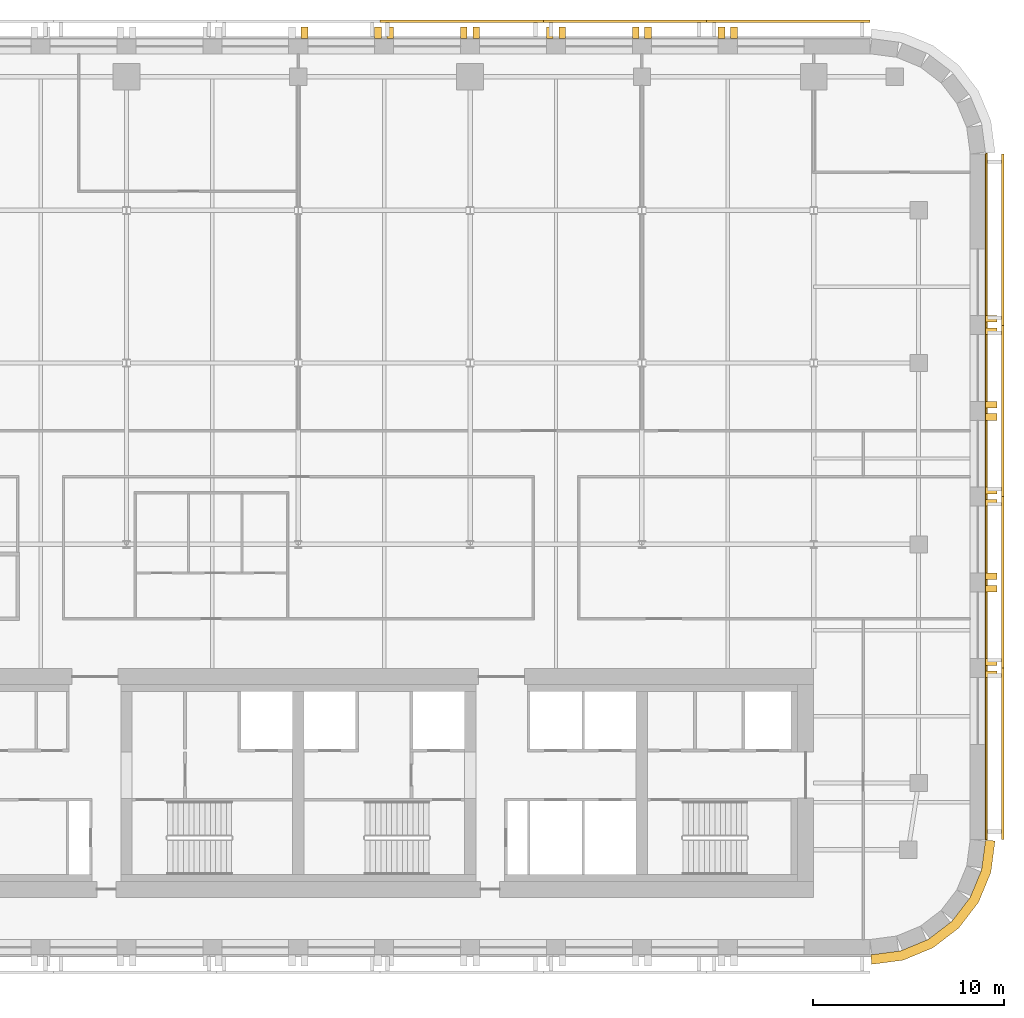
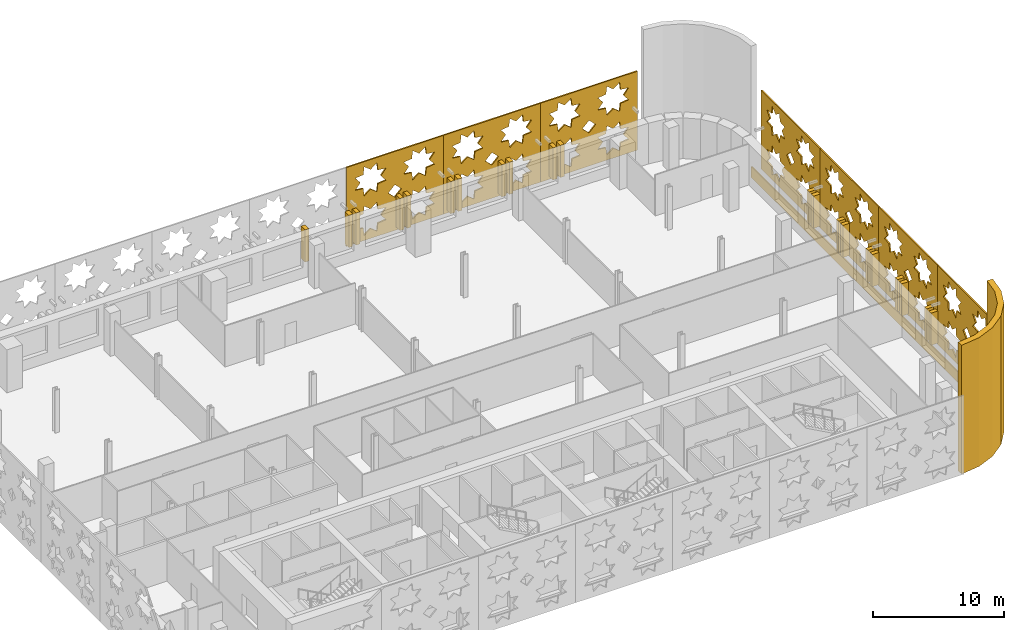
# One storey, part 13 of 14: 30 coverings.
"""IFC4 building model written with IfcOpenShell, lengths in metres."""

from ifc_helpers import new_model, si_unit, direction, frame, origin, place, context, subcontext, project, spatial, polyline, outline, extrude, material, layer, layer_set, type_object, element, save


model = new_model("IFC4")

# Units and contexts
model_context = context("Model", 3, precision=1e-05, world=origin(), true_north=direction((0.0, 1.0)))
body_context = subcontext(model_context, "Body", "Model", "MODEL_VIEW")
ifc_project = project(units=[si_unit("LENGTHUNIT", "METRE"), si_unit("AREAUNIT", "SQUARE_METRE"), si_unit("VOLUMEUNIT", "CUBIC_METRE"), si_unit("PLANEANGLEUNIT", "RADIAN"), si_unit("MASSUNIT", "GRAM", prefix="KILO")], contexts=[model_context])

# Site, building, storey
site_placement = place(None, origin())
site = spatial("IfcSite", under=ifc_project, at=site_placement, CompositionType="ELEMENT")
building_placement = place(site_placement, origin())
building = spatial("IfcBuilding", under=site, at=building_placement, Name="Zellij Exchange Tower", CompositionType="ELEMENT")
storey_placement = place(building_placement, frame((0.0, 0.0, 188.5)))
storey = spatial("IfcBuildingStorey", under=building, at=storey_placement, Name="L43", CompositionType="ELEMENT", Elevation=188.5)

# Coverings
ifc_material_1 = material(Name="Limestone cladding", Category="masonry")
ifc_layer_1 = layer(ifc_material_1, 0.5)
ifc_layer_set_1 = layer_set([ifc_layer_1], Name="Limestone cladding")
covering_type_1 = type_object("IfcCoveringType", Name="ENV-CV12 Stone corner pier 500", PredefinedType="CLADDING", material=ifc_layer_set_1)
covering_1_placement = place(storey_placement, origin())
element("IfcCovering", 1, at=covering_1_placement, inside=storey, type_object=covering_type_1, Name="Stone corner pier", PredefinedType="CLADDING", context=body_context, shape_type="SweptSolid", body=[
    extrude(outline(polyline([(30.0, -17.0), (31.552978515625, -16.795654296875), (33.0, -16.1962890625), (34.24267578125, -15.24267578125), (35.1962890625, -14.0), (35.795654296875, -12.552978515625), (36.0, -11.0), (36.5, -11.03271484375), (36.28271484375, -12.683349609375), (35.6328125, -14.252197265625), (34.59912109375, -15.59912109375), (33.252197265625, -16.6328125), (31.683349609375, -17.28271484375), (30.03271484375, -17.5), (30.0, -17.0)])), origin(), (0.0, 0.0, 1.0), 12.0),
])
covering_type_2 = type_object("IfcCoveringType", Name="ENV-CV3 Stone pier 350x600", PredefinedType="CLADDING", material=ifc_material_1)
covering_2_placement = place(storey_placement, frame((0.0, 0.0, 0.800048828125)))
element("IfcCovering", 2, at=covering_2_placement, inside=storey, type_object=covering_type_2, Name="Stone pier", PredefinedType="CLADDING", context=body_context, shape_type="SweptSolid", body=[
    extrude(outline(polyline([(36.0, -2.48681640625), (36.0, -2.136962890625), (36.60009765625, -2.136962890625), (36.60009765625, -2.48681640625), (36.0, -2.48681640625)])), origin(), (0.0, 0.0, 1.0), 3.0),
])
covering_3_placement = place(storey_placement, frame((0.0, 0.0, 0.800048828125)))
element("IfcCovering", 3, at=covering_3_placement, inside=storey, type_object=covering_type_2, Name="Stone pier", PredefinedType="CLADDING", context=body_context, shape_type="SweptSolid", body=[
    extrude(outline(polyline([(36.0, -1.8369140625), (36.0, -1.48681640625), (36.60009765625, -1.48681640625), (36.60009765625, -1.8369140625), (36.0, -1.8369140625)])), origin(), (0.0, 0.0, 1.0), 3.0),
])
covering_4_placement = place(storey_placement, frame((0.0, 0.0, 0.800048828125)))
element("IfcCovering", 4, at=covering_4_placement, inside=storey, type_object=covering_type_2, Name="Stone pier", PredefinedType="CLADDING", context=body_context, shape_type="SweptSolid", body=[
    extrude(outline(polyline([(36.0, 2.006591796875), (36.0, 2.3564453125), (36.60009765625, 2.3564453125), (36.60009765625, 2.006591796875), (36.0, 2.006591796875)])), origin(), (0.0, 0.0, 1.0), 3.0),
])
covering_5_placement = place(storey_placement, frame((0.0, 0.0, 0.800048828125)))
element("IfcCovering", 5, at=covering_5_placement, inside=storey, type_object=covering_type_2, Name="Stone pier", PredefinedType="CLADDING", context=body_context, shape_type="SweptSolid", body=[
    extrude(outline(polyline([(36.0, 2.656494140625), (36.0, 3.006591796875), (36.60009765625, 3.006591796875), (36.60009765625, 2.656494140625), (36.0, 2.656494140625)])), origin(), (0.0, 0.0, 1.0), 3.0),
])
covering_6_placement = place(storey_placement, frame((0.0, 0.0, 0.800048828125)))
element("IfcCovering", 6, at=covering_6_placement, inside=storey, type_object=covering_type_2, Name="Stone pier", PredefinedType="CLADDING", context=body_context, shape_type="SweptSolid", body=[
    extrude(outline(polyline([(36.0, 6.5), (36.0, 6.85009765625), (36.60009765625, 6.85009765625), (36.60009765625, 6.5), (36.0, 6.5)])), origin(), (0.0, 0.0, 1.0), 3.0),
])
covering_7_placement = place(storey_placement, frame((0.0, 0.0, 0.800048828125)))
element("IfcCovering", 7, at=covering_7_placement, inside=storey, type_object=covering_type_2, Name="Stone pier", PredefinedType="CLADDING", context=body_context, shape_type="SweptSolid", body=[
    extrude(outline(polyline([(36.0, 7.14990234375), (36.0, 7.5), (36.60009765625, 7.5), (36.60009765625, 7.14990234375), (36.0, 7.14990234375)])), origin(), (0.0, 0.0, 1.0), 3.0),
])
covering_8_placement = place(storey_placement, frame((0.0, 0.0, 0.800048828125)))
element("IfcCovering", 8, at=covering_8_placement, inside=storey, type_object=covering_type_2, Name="Stone pier", PredefinedType="CLADDING", context=body_context, shape_type="SweptSolid", body=[
    extrude(outline(polyline([(36.0, 10.993408203125), (36.0, 11.343505859375), (36.60009765625, 11.343505859375), (36.60009765625, 10.993408203125), (36.0, 10.993408203125)])), origin(), (0.0, 0.0, 1.0), 3.0),
])
covering_9_placement = place(storey_placement, frame((0.0, 0.0, 0.800048828125)))
element("IfcCovering", 9, at=covering_9_placement, inside=storey, type_object=covering_type_2, Name="Stone pier", PredefinedType="CLADDING", context=body_context, shape_type="SweptSolid", body=[
    extrude(outline(polyline([(36.0, 11.643310546875), (36.0, 11.993408203125), (36.60009765625, 11.993408203125), (36.60009765625, 11.643310546875), (36.0, 11.643310546875)])), origin(), (0.0, 0.0, 1.0), 3.0),
])
covering_10_placement = place(storey_placement, frame((0.0, 0.0, 0.800048828125)))
element("IfcCovering", 10, at=covering_10_placement, inside=storey, type_object=covering_type_2, Name="Stone pier", PredefinedType="CLADDING", context=body_context, shape_type="SweptSolid", body=[
    extrude(outline(polyline([(36.0, 15.48681640625), (36.0, 15.8369140625), (36.60009765625, 15.8369140625), (36.60009765625, 15.48681640625), (36.0, 15.48681640625)])), origin(), (0.0, 0.0, 1.0), 3.0),
])
covering_11_placement = place(storey_placement, frame((0.0, 0.0, 0.800048828125)))
element("IfcCovering", 11, at=covering_11_placement, inside=storey, type_object=covering_type_2, Name="Stone pier", PredefinedType="CLADDING", context=body_context, shape_type="SweptSolid", body=[
    extrude(outline(polyline([(36.0, 16.136962890625), (36.0, 16.48681640625), (36.60009765625, 16.48681640625), (36.60009765625, 16.136962890625), (36.0, 16.136962890625)])), origin(), (0.0, 0.0, 1.0), 3.0),
])
covering_12_placement = place(storey_placement, frame((0.0, 0.0, 0.800048828125)))
element("IfcCovering", 12, at=covering_12_placement, inside=storey, type_object=covering_type_2, Name="Stone pier", PredefinedType="CLADDING", context=body_context, shape_type="SweptSolid", body=[
    extrude(outline(polyline([(23.0, 31.0), (22.64990234375, 31.0), (22.64990234375, 31.60009765625), (23.0, 31.60009765625), (23.0, 31.0)])), origin(), (0.0, 0.0, 1.0), 3.0),
])
covering_13_placement = place(storey_placement, frame((0.0, 0.0, 0.800048828125)))
element("IfcCovering", 13, at=covering_13_placement, inside=storey, type_object=covering_type_2, Name="Stone pier", PredefinedType="CLADDING", context=body_context, shape_type="SweptSolid", body=[
    extrude(outline(polyline([(22.35009765625, 31.0), (22.0, 31.0), (22.0, 31.60009765625), (22.35009765625, 31.60009765625), (22.35009765625, 31.0)])), origin(), (0.0, 0.0, 1.0), 3.0),
])
covering_14_placement = place(storey_placement, frame((0.0, 0.0, 0.800048828125)))
element("IfcCovering", 14, at=covering_14_placement, inside=storey, type_object=covering_type_2, Name="Stone pier", PredefinedType="CLADDING", context=body_context, shape_type="SweptSolid", body=[
    extrude(outline(polyline([(18.5, 31.0), (18.14990234375, 31.0), (18.14990234375, 31.60009765625), (18.5, 31.60009765625), (18.5, 31.0)])), origin(), (0.0, 0.0, 1.0), 3.0),
])
covering_15_placement = place(storey_placement, frame((0.0, 0.0, 0.800048828125)))
element("IfcCovering", 15, at=covering_15_placement, inside=storey, type_object=covering_type_2, Name="Stone pier", PredefinedType="CLADDING", context=body_context, shape_type="SweptSolid", body=[
    extrude(outline(polyline([(17.85009765625, 31.0), (17.5, 31.0), (17.5, 31.60009765625), (17.85009765625, 31.60009765625), (17.85009765625, 31.0)])), origin(), (0.0, 0.0, 1.0), 3.0),
])
covering_16_placement = place(storey_placement, frame((0.0, 0.0, 0.800048828125)))
element("IfcCovering", 16, at=covering_16_placement, inside=storey, type_object=covering_type_2, Name="Stone pier", PredefinedType="CLADDING", context=body_context, shape_type="SweptSolid", body=[
    extrude(outline(polyline([(14.0, 31.0), (13.64990234375, 31.0), (13.64990234375, 31.60009765625), (14.0, 31.60009765625), (14.0, 31.0)])), origin(), (0.0, 0.0, 1.0), 3.0),
])
covering_17_placement = place(storey_placement, frame((0.0, 0.0, 0.800048828125)))
element("IfcCovering", 17, at=covering_17_placement, inside=storey, type_object=covering_type_2, Name="Stone pier", PredefinedType="CLADDING", context=body_context, shape_type="SweptSolid", body=[
    extrude(outline(polyline([(13.35009765625, 31.0), (13.0, 31.0), (13.0, 31.60009765625), (13.35009765625, 31.60009765625), (13.35009765625, 31.0)])), origin(), (0.0, 0.0, 1.0), 3.0),
])
covering_18_placement = place(storey_placement, frame((0.0, 0.0, 0.800048828125)))
element("IfcCovering", 18, at=covering_18_placement, inside=storey, type_object=covering_type_2, Name="Stone pier", PredefinedType="CLADDING", context=body_context, shape_type="SweptSolid", body=[
    extrude(outline(polyline([(9.5, 31.0), (9.14990234375, 31.0), (9.14990234375, 31.60009765625), (9.5, 31.60009765625), (9.5, 31.0)])), origin(), (0.0, 0.0, 1.0), 3.0),
])
covering_19_placement = place(storey_placement, frame((0.0, 0.0, 0.800048828125)))
element("IfcCovering", 19, at=covering_19_placement, inside=storey, type_object=covering_type_2, Name="Stone pier", PredefinedType="CLADDING", context=body_context, shape_type="SweptSolid", body=[
    extrude(outline(polyline([(8.85009765625, 31.0), (8.5, 31.0), (8.5, 31.60009765625), (8.85009765625, 31.60009765625), (8.85009765625, 31.0)])), origin(), (0.0, 0.0, 1.0), 3.0),
])
covering_20_placement = place(storey_placement, frame((0.0, 0.0, 0.800048828125)))
element("IfcCovering", 20, at=covering_20_placement, inside=storey, type_object=covering_type_2, Name="Stone pier", PredefinedType="CLADDING", context=body_context, shape_type="SweptSolid", body=[
    extrude(outline(polyline([(5.0, 31.0), (4.64990234375, 31.0), (4.64990234375, 31.60009765625), (5.0, 31.60009765625), (5.0, 31.0)])), origin(), (0.0, 0.0, 1.0), 3.0),
])
covering_21_placement = place(storey_placement, frame((0.0, 0.0, 0.800048828125)))
element("IfcCovering", 21, at=covering_21_placement, inside=storey, type_object=covering_type_2, Name="Stone pier", PredefinedType="CLADDING", context=body_context, shape_type="SweptSolid", body=[
    extrude(outline(polyline([(4.35009765625, 31.0), (4.0, 31.0), (4.0, 31.60009765625), (4.35009765625, 31.60009765625), (4.35009765625, 31.0)])), origin(), (0.0, 0.0, 1.0), 3.0),
])
covering_22_placement = place(storey_placement, frame((0.0, 0.0, 0.800048828125)))
element("IfcCovering", 22, at=covering_22_placement, inside=storey, type_object=covering_type_2, Name="Stone pier", PredefinedType="CLADDING", context=body_context, shape_type="SweptSolid", body=[
    extrude(outline(polyline([(0.5, 31.0), (0.14990234375, 31.0), (0.14990234375, 31.60009765625), (0.5, 31.60009765625), (0.5, 31.0)])), origin(), (0.0, 0.0, 1.0), 3.0),
])
ifc_layer_2 = layer(ifc_material_1, 0.10009765625)
ifc_layer_set_2 = layer_set([ifc_layer_2], Name="Limestone cladding")
covering_type_3 = type_object("IfcCoveringType", Name="ENV-CV9 Stone spandrel band 100", PredefinedType="CLADDING", material=ifc_layer_set_2)
covering_23_placement = place(storey_placement, frame((0.0, 0.0, -0.199951171875)))
element("IfcCovering", 23, at=covering_23_placement, inside=storey, type_object=covering_type_3, Name="Stone spandrel band", PredefinedType="CLADDING", context=body_context, shape_type="SweptSolid", body=[
    extrude(outline(polyline([(36.0, -10.973876953125), (36.0, 24.973876953125), (36.10009765625, 24.980224609375), (36.10009765625, -10.980224609375), (36.0, -10.973876953125)])), origin(), (0.0, 0.0, 1.0), 1.0),
])
ifc_material_2 = material(Name="Limestone screen", Category="masonry")
ifc_layer_3 = layer(ifc_material_2, 0.1201171875)
ifc_layer_set_3 = layer_set([ifc_layer_3], Name="Limestone screen")
covering_type_4 = type_object("IfcCoveringType", Name="ENV-SC1 Pierced stone screen 120", PredefinedType="USERDEFINED", material=ifc_layer_set_3)
covering_24_placement = place(storey_placement, frame((29.947509765625, 31.909912109375, 0.300048828125), z_axis=(0.0, 0.0, 1.0), x_axis=(-1.0, 0.0, 0.0)))
element("IfcCovering", 24, at=covering_24_placement, inside=storey, type_object=covering_type_4, Name="Pierced stone screen", ObjectType="SCREEN", PredefinedType="USERDEFINED", context=body_context, shape_type="SweptSolid", body=[
    extrude(outline(polyline([(0.0, 0.0), (8.556396484375, 0.0), (8.556396484375, 7.35009765625), (0.0, 7.35009765625), (0.0, 0.0)]), holes=[polyline([(3.497314453125, 2.39990234375), (2.78369140625, 2.48193359375), (2.70166015625, 3.195556640625), (2.13916015625, 2.748779296875), (1.57666015625, 3.195556640625), (1.49462890625, 2.48193359375), (0.781005859375, 2.39990234375), (1.227783203125, 1.83740234375), (0.781005859375, 1.27490234375), (1.49462890625, 1.193115234375), (1.57666015625, 0.4794921875), (2.13916015625, 0.926025390625), (2.70166015625, 0.4794921875), (2.78369140625, 1.193115234375), (3.497314453125, 1.27490234375), (3.050537109375, 1.83740234375), (3.497314453125, 2.39990234375)]), polyline([(3.497314453125, 6.074951171875), (2.78369140625, 6.156982421875), (2.70166015625, 6.87060546875), (2.13916015625, 6.423828125), (1.57666015625, 6.87060546875), (1.49462890625, 6.156982421875), (0.781005859375, 6.074951171875), (1.227783203125, 5.512451171875), (0.781005859375, 4.949951171875), (1.49462890625, 4.867919921875), (1.57666015625, 4.154296875), (2.13916015625, 4.60107421875), (2.70166015625, 4.154296875), (2.78369140625, 4.867919921875), (3.497314453125, 4.949951171875), (3.050537109375, 5.512451171875), (3.497314453125, 6.074951171875)]), polyline([(7.775390625, 2.39990234375), (7.061767578125, 2.48193359375), (6.97998046875, 3.195556640625), (6.417236328125, 2.748779296875), (5.854736328125, 3.195556640625), (5.77294921875, 2.48193359375), (5.05908203125, 2.39990234375), (5.505859375, 1.83740234375), (5.05908203125, 1.27490234375), (5.77294921875, 1.193115234375), (5.854736328125, 0.4794921875), (6.417236328125, 0.926025390625), (6.97998046875, 0.4794921875), (7.061767578125, 1.193115234375), (7.775390625, 1.27490234375), (7.32861328125, 1.83740234375), (7.775390625, 2.39990234375)]), polyline([(7.775390625, 6.074951171875), (7.061767578125, 6.156982421875), (6.97998046875, 6.87060546875), (6.417236328125, 6.423828125), (5.854736328125, 6.87060546875), (5.77294921875, 6.156982421875), (5.05908203125, 6.074951171875), (5.505859375, 5.512451171875), (5.05908203125, 4.949951171875), (5.77294921875, 4.867919921875), (5.854736328125, 4.154296875), (6.417236328125, 4.60107421875), (6.97998046875, 4.154296875), (7.061767578125, 4.867919921875), (7.775390625, 4.949951171875), (7.32861328125, 5.512451171875), (7.775390625, 6.074951171875)]), polyline([(4.8662109375, 3.675048828125), (4.2783203125, 4.262939453125), (3.690185546875, 3.675048828125), (4.2783203125, 3.0869140625), (4.8662109375, 3.675048828125)])]), frame((0.0, 0.06005859375, 0.0), z_axis=(0.0, -1.0, 0.0), x_axis=(1.0, 0.0, 0.0)), (0.0, 0.0, 1.0), 0.1201171875),
])
covering_25_placement = place(storey_placement, frame((21.39111328125, 31.909912109375, 0.300048828125), z_axis=(0.0, 0.0, 1.0), x_axis=(-1.0, 0.0, 0.0)))
element("IfcCovering", 25, at=covering_25_placement, inside=storey, type_object=covering_type_4, Name="Pierced stone screen", ObjectType="SCREEN", PredefinedType="USERDEFINED", context=body_context, shape_type="SweptSolid", body=[
    extrude(outline(polyline([(0.0, 0.0), (8.556396484375, 0.0), (8.556396484375, 7.35009765625), (0.0, 7.35009765625), (0.0, 0.0)]), holes=[polyline([(3.497314453125, 2.39990234375), (2.78369140625, 2.48193359375), (2.70166015625, 3.195556640625), (2.13916015625, 2.748779296875), (1.57666015625, 3.195556640625), (1.49462890625, 2.48193359375), (0.781005859375, 2.39990234375), (1.227783203125, 1.83740234375), (0.781005859375, 1.27490234375), (1.49462890625, 1.193115234375), (1.57666015625, 0.4794921875), (2.13916015625, 0.926025390625), (2.70166015625, 0.4794921875), (2.78369140625, 1.193115234375), (3.497314453125, 1.27490234375), (3.050537109375, 1.83740234375), (3.497314453125, 2.39990234375)]), polyline([(3.497314453125, 6.074951171875), (2.78369140625, 6.156982421875), (2.70166015625, 6.87060546875), (2.13916015625, 6.423828125), (1.57666015625, 6.87060546875), (1.49462890625, 6.156982421875), (0.781005859375, 6.074951171875), (1.227783203125, 5.512451171875), (0.781005859375, 4.949951171875), (1.49462890625, 4.867919921875), (1.57666015625, 4.154296875), (2.13916015625, 4.60107421875), (2.70166015625, 4.154296875), (2.78369140625, 4.867919921875), (3.497314453125, 4.949951171875), (3.050537109375, 5.512451171875), (3.497314453125, 6.074951171875)]), polyline([(7.775390625, 2.39990234375), (7.061767578125, 2.48193359375), (6.97998046875, 3.195556640625), (6.417236328125, 2.748779296875), (5.854736328125, 3.195556640625), (5.77294921875, 2.48193359375), (5.05908203125, 2.39990234375), (5.505859375, 1.83740234375), (5.05908203125, 1.27490234375), (5.77294921875, 1.193115234375), (5.854736328125, 0.4794921875), (6.417236328125, 0.926025390625), (6.97998046875, 0.4794921875), (7.061767578125, 1.193115234375), (7.775390625, 1.27490234375), (7.32861328125, 1.83740234375), (7.775390625, 2.39990234375)]), polyline([(7.775390625, 6.074951171875), (7.061767578125, 6.156982421875), (6.97998046875, 6.87060546875), (6.417236328125, 6.423828125), (5.854736328125, 6.87060546875), (5.77294921875, 6.156982421875), (5.05908203125, 6.074951171875), (5.505859375, 5.512451171875), (5.05908203125, 4.949951171875), (5.77294921875, 4.867919921875), (5.854736328125, 4.154296875), (6.417236328125, 4.60107421875), (6.97998046875, 4.154296875), (7.061767578125, 4.867919921875), (7.775390625, 4.949951171875), (7.32861328125, 5.512451171875), (7.775390625, 6.074951171875)]), polyline([(4.8662109375, 3.675048828125), (4.2783203125, 4.262939453125), (3.690185546875, 3.675048828125), (4.2783203125, 3.0869140625), (4.8662109375, 3.675048828125)])]), frame((0.0, 0.06005859375, 0.0), z_axis=(0.0, -1.0, 0.0), x_axis=(1.0, 0.0, 0.0)), (0.0, 0.0, 1.0), 0.1201171875),
])
covering_26_placement = place(storey_placement, frame((12.834716796875, 31.909912109375, 0.300048828125), z_axis=(0.0, 0.0, 1.0), x_axis=(-1.0, 0.0, 0.0)))
element("IfcCovering", 26, at=covering_26_placement, inside=storey, type_object=covering_type_4, Name="Pierced stone screen", ObjectType="SCREEN", PredefinedType="USERDEFINED", context=body_context, shape_type="SweptSolid", body=[
    extrude(outline(polyline([(0.0, 0.0), (8.556396484375, 0.0), (8.556396484375, 7.35009765625), (0.0, 7.35009765625), (0.0, 0.0)]), holes=[polyline([(3.497314453125, 2.39990234375), (2.78369140625, 2.48193359375), (2.70166015625, 3.195556640625), (2.13916015625, 2.748779296875), (1.57666015625, 3.195556640625), (1.49462890625, 2.48193359375), (0.781005859375, 2.39990234375), (1.227783203125, 1.83740234375), (0.781005859375, 1.27490234375), (1.49462890625, 1.193115234375), (1.57666015625, 0.4794921875), (2.13916015625, 0.926025390625), (2.70166015625, 0.4794921875), (2.78369140625, 1.193115234375), (3.497314453125, 1.27490234375), (3.050537109375, 1.83740234375), (3.497314453125, 2.39990234375)]), polyline([(3.497314453125, 6.074951171875), (2.78369140625, 6.156982421875), (2.70166015625, 6.87060546875), (2.13916015625, 6.423828125), (1.57666015625, 6.87060546875), (1.49462890625, 6.156982421875), (0.781005859375, 6.074951171875), (1.227783203125, 5.512451171875), (0.781005859375, 4.949951171875), (1.49462890625, 4.867919921875), (1.57666015625, 4.154296875), (2.13916015625, 4.60107421875), (2.70166015625, 4.154296875), (2.78369140625, 4.867919921875), (3.497314453125, 4.949951171875), (3.050537109375, 5.512451171875), (3.497314453125, 6.074951171875)]), polyline([(7.775390625, 2.39990234375), (7.061767578125, 2.48193359375), (6.97998046875, 3.195556640625), (6.417236328125, 2.748779296875), (5.854736328125, 3.195556640625), (5.77294921875, 2.48193359375), (5.05908203125, 2.39990234375), (5.505859375, 1.83740234375), (5.05908203125, 1.27490234375), (5.77294921875, 1.193115234375), (5.854736328125, 0.4794921875), (6.417236328125, 0.926025390625), (6.97998046875, 0.4794921875), (7.061767578125, 1.193115234375), (7.775390625, 1.27490234375), (7.32861328125, 1.83740234375), (7.775390625, 2.39990234375)]), polyline([(7.775390625, 6.074951171875), (7.061767578125, 6.156982421875), (6.97998046875, 6.87060546875), (6.417236328125, 6.423828125), (5.854736328125, 6.87060546875), (5.77294921875, 6.156982421875), (5.05908203125, 6.074951171875), (5.505859375, 5.512451171875), (5.05908203125, 4.949951171875), (5.77294921875, 4.867919921875), (5.854736328125, 4.154296875), (6.417236328125, 4.60107421875), (6.97998046875, 4.154296875), (7.061767578125, 4.867919921875), (7.775390625, 4.949951171875), (7.32861328125, 5.512451171875), (7.775390625, 6.074951171875)]), polyline([(4.8662109375, 3.675048828125), (4.2783203125, 4.262939453125), (3.690185546875, 3.675048828125), (4.2783203125, 3.0869140625), (4.8662109375, 3.675048828125)])]), frame((0.0, 0.06005859375, 0.0), z_axis=(0.0, -1.0, 0.0), x_axis=(1.0, 0.0, 0.0)), (0.0, 0.0, 1.0), 0.1201171875),
])
covering_27_placement = place(storey_placement, frame((36.909912109375, -10.947509765625, 0.300048828125), z_axis=(0.0, 0.0, 1.0), x_axis=(0.0, 1.0, 0.0)))
element("IfcCovering", 27, at=covering_27_placement, inside=storey, type_object=covering_type_4, Name="Pierced stone screen", ObjectType="SCREEN", PredefinedType="USERDEFINED", context=body_context, shape_type="SweptSolid", body=[
    extrude(outline(polyline([(0.0, 0.0), (8.973876953125, 0.0), (8.973876953125, 7.35009765625), (0.0, 7.35009765625), (0.0, 0.0)]), holes=[polyline([(3.6015625, 2.39990234375), (2.887939453125, 2.48193359375), (2.805908203125, 3.195556640625), (2.243408203125, 2.748779296875), (1.680908203125, 3.195556640625), (1.59912109375, 2.48193359375), (0.88525390625, 2.39990234375), (1.33203125, 1.83740234375), (0.88525390625, 1.27490234375), (1.59912109375, 1.193115234375), (1.680908203125, 0.4794921875), (2.243408203125, 0.926025390625), (2.805908203125, 0.4794921875), (2.887939453125, 1.193115234375), (3.6015625, 1.27490234375), (3.15478515625, 1.83740234375), (3.6015625, 2.39990234375)]), polyline([(3.6015625, 6.074951171875), (2.887939453125, 6.156982421875), (2.805908203125, 6.87060546875), (2.243408203125, 6.423828125), (1.680908203125, 6.87060546875), (1.59912109375, 6.156982421875), (0.88525390625, 6.074951171875), (1.33203125, 5.512451171875), (0.88525390625, 4.949951171875), (1.59912109375, 4.867919921875), (1.680908203125, 4.154296875), (2.243408203125, 4.60107421875), (2.805908203125, 4.154296875), (2.887939453125, 4.867919921875), (3.6015625, 4.949951171875), (3.15478515625, 5.512451171875), (3.6015625, 6.074951171875)]), polyline([(8.08837890625, 2.39990234375), (7.374755859375, 2.48193359375), (7.29296875, 3.195556640625), (6.730224609375, 2.748779296875), (6.167724609375, 3.195556640625), (6.0859375, 2.48193359375), (5.372314453125, 2.39990234375), (5.81884765625, 1.83740234375), (5.372314453125, 1.27490234375), (6.0859375, 1.193115234375), (6.167724609375, 0.4794921875), (6.730224609375, 0.926025390625), (7.29296875, 0.4794921875), (7.374755859375, 1.193115234375), (8.08837890625, 1.27490234375), (7.6416015625, 1.83740234375), (8.08837890625, 2.39990234375)]), polyline([(8.08837890625, 6.074951171875), (7.374755859375, 6.156982421875), (7.29296875, 6.87060546875), (6.730224609375, 6.423828125), (6.167724609375, 6.87060546875), (6.0859375, 6.156982421875), (5.372314453125, 6.074951171875), (5.81884765625, 5.512451171875), (5.372314453125, 4.949951171875), (6.0859375, 4.867919921875), (6.167724609375, 4.154296875), (6.730224609375, 4.60107421875), (7.29296875, 4.154296875), (7.374755859375, 4.867919921875), (8.08837890625, 4.949951171875), (7.6416015625, 5.512451171875), (8.08837890625, 6.074951171875)]), polyline([(5.074951171875, 3.675048828125), (4.48681640625, 4.262939453125), (3.89892578125, 3.675048828125), (4.48681640625, 3.0869140625), (5.074951171875, 3.675048828125)])]), frame((0.0, 0.06005859375, 0.0), z_axis=(0.0, -1.0, 0.0), x_axis=(1.0, 0.0, 0.0)), (0.0, 0.0, 1.0), 0.1201171875),
])
covering_28_placement = place(storey_placement, frame((36.909912109375, -1.973876953125, 0.300048828125), z_axis=(0.0, 0.0, 1.0), x_axis=(0.0, 1.0, 0.0)))
element("IfcCovering", 28, at=covering_28_placement, inside=storey, type_object=covering_type_4, Name="Pierced stone screen", ObjectType="SCREEN", PredefinedType="USERDEFINED", context=body_context, shape_type="SweptSolid", body=[
    extrude(outline(polyline([(0.0, 0.0), (8.973876953125, 0.0), (8.973876953125, 7.35009765625), (0.0, 7.35009765625), (0.0, 0.0)]), holes=[polyline([(3.6015625, 2.39990234375), (2.887939453125, 2.48193359375), (2.805908203125, 3.195556640625), (2.243408203125, 2.748779296875), (1.680908203125, 3.195556640625), (1.59912109375, 2.48193359375), (0.88525390625, 2.39990234375), (1.33203125, 1.83740234375), (0.88525390625, 1.27490234375), (1.59912109375, 1.193115234375), (1.680908203125, 0.4794921875), (2.243408203125, 0.926025390625), (2.805908203125, 0.4794921875), (2.887939453125, 1.193115234375), (3.6015625, 1.27490234375), (3.15478515625, 1.83740234375), (3.6015625, 2.39990234375)]), polyline([(3.6015625, 6.074951171875), (2.887939453125, 6.156982421875), (2.805908203125, 6.87060546875), (2.243408203125, 6.423828125), (1.680908203125, 6.87060546875), (1.59912109375, 6.156982421875), (0.88525390625, 6.074951171875), (1.33203125, 5.512451171875), (0.88525390625, 4.949951171875), (1.59912109375, 4.867919921875), (1.680908203125, 4.154296875), (2.243408203125, 4.60107421875), (2.805908203125, 4.154296875), (2.887939453125, 4.867919921875), (3.6015625, 4.949951171875), (3.15478515625, 5.512451171875), (3.6015625, 6.074951171875)]), polyline([(8.08837890625, 2.39990234375), (7.374755859375, 2.48193359375), (7.29296875, 3.195556640625), (6.730224609375, 2.748779296875), (6.167724609375, 3.195556640625), (6.0859375, 2.48193359375), (5.372314453125, 2.39990234375), (5.81884765625, 1.83740234375), (5.372314453125, 1.27490234375), (6.0859375, 1.193115234375), (6.167724609375, 0.4794921875), (6.730224609375, 0.926025390625), (7.29296875, 0.4794921875), (7.374755859375, 1.193115234375), (8.08837890625, 1.27490234375), (7.6416015625, 1.83740234375), (8.08837890625, 2.39990234375)]), polyline([(8.08837890625, 6.074951171875), (7.374755859375, 6.156982421875), (7.29296875, 6.87060546875), (6.730224609375, 6.423828125), (6.167724609375, 6.87060546875), (6.0859375, 6.156982421875), (5.372314453125, 6.074951171875), (5.81884765625, 5.512451171875), (5.372314453125, 4.949951171875), (6.0859375, 4.867919921875), (6.167724609375, 4.154296875), (6.730224609375, 4.60107421875), (7.29296875, 4.154296875), (7.374755859375, 4.867919921875), (8.08837890625, 4.949951171875), (7.6416015625, 5.512451171875), (8.08837890625, 6.074951171875)]), polyline([(5.074951171875, 3.675048828125), (4.48681640625, 4.262939453125), (3.89892578125, 3.675048828125), (4.48681640625, 3.0869140625), (5.074951171875, 3.675048828125)])]), frame((0.0, 0.06005859375, 0.0), z_axis=(0.0, -1.0, 0.0), x_axis=(1.0, 0.0, 0.0)), (0.0, 0.0, 1.0), 0.1201171875),
])
covering_29_placement = place(storey_placement, frame((36.909912109375, 7.0, 0.300048828125), z_axis=(0.0, 0.0, 1.0), x_axis=(0.0, 1.0, 0.0)))
element("IfcCovering", 29, at=covering_29_placement, inside=storey, type_object=covering_type_4, Name="Pierced stone screen", ObjectType="SCREEN", PredefinedType="USERDEFINED", context=body_context, shape_type="SweptSolid", body=[
    extrude(outline(polyline([(0.0, 0.0), (8.973876953125, 0.0), (8.973876953125, 7.35009765625), (0.0, 7.35009765625), (0.0, 0.0)]), holes=[polyline([(3.6015625, 2.39990234375), (2.887939453125, 2.48193359375), (2.805908203125, 3.195556640625), (2.243408203125, 2.748779296875), (1.680908203125, 3.195556640625), (1.59912109375, 2.48193359375), (0.88525390625, 2.39990234375), (1.33203125, 1.83740234375), (0.88525390625, 1.27490234375), (1.59912109375, 1.193115234375), (1.680908203125, 0.4794921875), (2.243408203125, 0.926025390625), (2.805908203125, 0.4794921875), (2.887939453125, 1.193115234375), (3.6015625, 1.27490234375), (3.15478515625, 1.83740234375), (3.6015625, 2.39990234375)]), polyline([(3.6015625, 6.074951171875), (2.887939453125, 6.156982421875), (2.805908203125, 6.87060546875), (2.243408203125, 6.423828125), (1.680908203125, 6.87060546875), (1.59912109375, 6.156982421875), (0.88525390625, 6.074951171875), (1.33203125, 5.512451171875), (0.88525390625, 4.949951171875), (1.59912109375, 4.867919921875), (1.680908203125, 4.154296875), (2.243408203125, 4.60107421875), (2.805908203125, 4.154296875), (2.887939453125, 4.867919921875), (3.6015625, 4.949951171875), (3.15478515625, 5.512451171875), (3.6015625, 6.074951171875)]), polyline([(8.08837890625, 2.39990234375), (7.374755859375, 2.48193359375), (7.29296875, 3.195556640625), (6.730224609375, 2.748779296875), (6.167724609375, 3.195556640625), (6.0859375, 2.48193359375), (5.372314453125, 2.39990234375), (5.81884765625, 1.83740234375), (5.372314453125, 1.27490234375), (6.0859375, 1.193115234375), (6.167724609375, 0.4794921875), (6.730224609375, 0.926025390625), (7.29296875, 0.4794921875), (7.374755859375, 1.193115234375), (8.08837890625, 1.27490234375), (7.6416015625, 1.83740234375), (8.08837890625, 2.39990234375)]), polyline([(8.08837890625, 6.074951171875), (7.374755859375, 6.156982421875), (7.29296875, 6.87060546875), (6.730224609375, 6.423828125), (6.167724609375, 6.87060546875), (6.0859375, 6.156982421875), (5.372314453125, 6.074951171875), (5.81884765625, 5.512451171875), (5.372314453125, 4.949951171875), (6.0859375, 4.867919921875), (6.167724609375, 4.154296875), (6.730224609375, 4.60107421875), (7.29296875, 4.154296875), (7.374755859375, 4.867919921875), (8.08837890625, 4.949951171875), (7.6416015625, 5.512451171875), (8.08837890625, 6.074951171875)]), polyline([(5.074951171875, 3.675048828125), (4.48681640625, 4.262939453125), (3.89892578125, 3.675048828125), (4.48681640625, 3.0869140625), (5.074951171875, 3.675048828125)])]), frame((0.0, 0.06005859375, 0.0), z_axis=(0.0, -1.0, 0.0), x_axis=(1.0, 0.0, 0.0)), (0.0, 0.0, 1.0), 0.1201171875),
])
covering_30_placement = place(storey_placement, frame((36.909912109375, 15.973876953125, 0.300048828125), z_axis=(0.0, 0.0, 1.0), x_axis=(0.0, 1.0, 0.0)))
element("IfcCovering", 30, at=covering_30_placement, inside=storey, type_object=covering_type_4, Name="Pierced stone screen", ObjectType="SCREEN", PredefinedType="USERDEFINED", context=body_context, shape_type="SweptSolid", body=[
    extrude(outline(polyline([(0.0, 0.0), (8.973876953125, 0.0), (8.973876953125, 7.35009765625), (0.0, 7.35009765625), (0.0, 0.0)]), holes=[polyline([(3.6015625, 2.39990234375), (2.887939453125, 2.48193359375), (2.805908203125, 3.195556640625), (2.243408203125, 2.748779296875), (1.680908203125, 3.195556640625), (1.59912109375, 2.48193359375), (0.88525390625, 2.39990234375), (1.33203125, 1.83740234375), (0.88525390625, 1.27490234375), (1.59912109375, 1.193115234375), (1.680908203125, 0.4794921875), (2.243408203125, 0.926025390625), (2.805908203125, 0.4794921875), (2.887939453125, 1.193115234375), (3.6015625, 1.27490234375), (3.15478515625, 1.83740234375), (3.6015625, 2.39990234375)]), polyline([(3.6015625, 6.074951171875), (2.887939453125, 6.156982421875), (2.805908203125, 6.87060546875), (2.243408203125, 6.423828125), (1.680908203125, 6.87060546875), (1.59912109375, 6.156982421875), (0.88525390625, 6.074951171875), (1.33203125, 5.512451171875), (0.88525390625, 4.949951171875), (1.59912109375, 4.867919921875), (1.680908203125, 4.154296875), (2.243408203125, 4.60107421875), (2.805908203125, 4.154296875), (2.887939453125, 4.867919921875), (3.6015625, 4.949951171875), (3.15478515625, 5.512451171875), (3.6015625, 6.074951171875)]), polyline([(8.08837890625, 2.39990234375), (7.374755859375, 2.48193359375), (7.29296875, 3.195556640625), (6.730224609375, 2.748779296875), (6.167724609375, 3.195556640625), (6.0859375, 2.48193359375), (5.372314453125, 2.39990234375), (5.81884765625, 1.83740234375), (5.372314453125, 1.27490234375), (6.0859375, 1.193115234375), (6.167724609375, 0.4794921875), (6.730224609375, 0.926025390625), (7.29296875, 0.4794921875), (7.374755859375, 1.193115234375), (8.08837890625, 1.27490234375), (7.6416015625, 1.83740234375), (8.08837890625, 2.39990234375)]), polyline([(8.08837890625, 6.074951171875), (7.374755859375, 6.156982421875), (7.29296875, 6.87060546875), (6.730224609375, 6.423828125), (6.167724609375, 6.87060546875), (6.0859375, 6.156982421875), (5.372314453125, 6.074951171875), (5.81884765625, 5.512451171875), (5.372314453125, 4.949951171875), (6.0859375, 4.867919921875), (6.167724609375, 4.154296875), (6.730224609375, 4.60107421875), (7.29296875, 4.154296875), (7.374755859375, 4.867919921875), (8.08837890625, 4.949951171875), (7.6416015625, 5.512451171875), (8.08837890625, 6.074951171875)]), polyline([(5.074951171875, 3.675048828125), (4.48681640625, 4.262939453125), (3.89892578125, 3.675048828125), (4.48681640625, 3.0869140625), (5.074951171875, 3.675048828125)])]), frame((0.0, 0.06005859375, 0.0), z_axis=(0.0, -1.0, 0.0), x_axis=(1.0, 0.0, 0.0)), (0.0, 0.0, 1.0), 0.1201171875),
])

save(model, "model.ifc")
